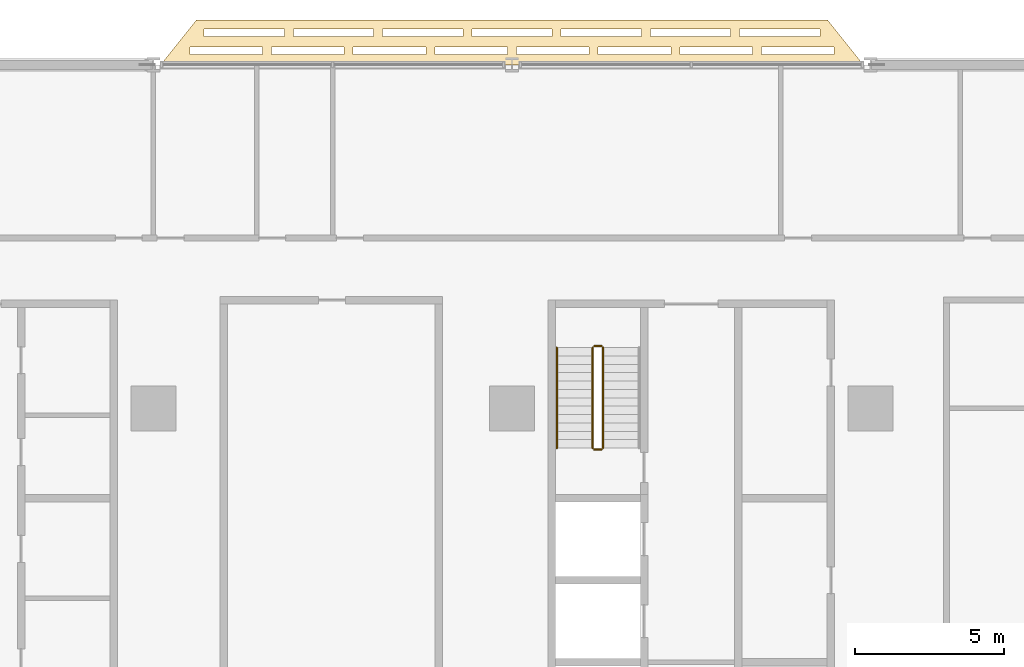
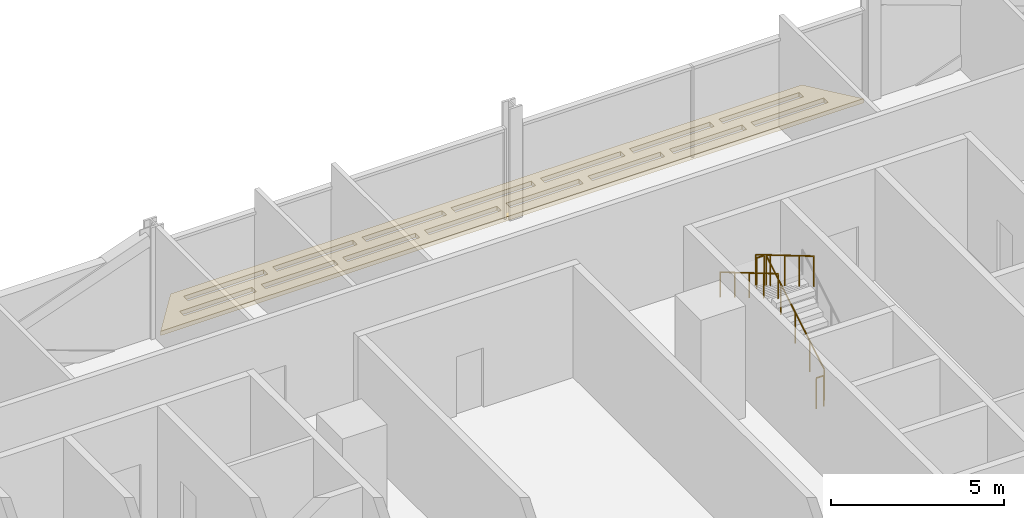
# One storey, part 27 of 29: 5 railings, 1 covering.
"""IFC4 building model written with IfcOpenShell, lengths in metres."""

from ifc_helpers import new_model, si_unit, direction, frame, origin, origin_2d, place, context, subcontext, project, spatial, polyline, circle, outline, extrude, material, layer, layer_set, type_object, element, save


model = new_model("IFC4")

# Units and contexts
model_context = context("Model", 3, precision=1e-05, world=origin(), true_north=direction((0.0, 1.0)))
body_context = subcontext(model_context, "Body", "Model", "MODEL_VIEW")
ifc_project = project(units=[si_unit("LENGTHUNIT", "METRE"), si_unit("AREAUNIT", "SQUARE_METRE"), si_unit("VOLUMEUNIT", "CUBIC_METRE"), si_unit("PLANEANGLEUNIT", "RADIAN"), si_unit("MASSUNIT", "GRAM", prefix="KILO")], contexts=[model_context])

# Site, building, storey
site_placement = place(None, origin())
site = spatial("IfcSite", under=ifc_project, at=site_placement, CompositionType="ELEMENT")
building_placement = place(site_placement, origin())
building = spatial("IfcBuilding", under=site, at=building_placement, Name="Mahtab Terrace Research Tower", CompositionType="ELEMENT")
storey_placement = place(building_placement, frame((0.0, 0.0, 67.5)))
storey = spatial("IfcBuildingStorey", under=building, at=storey_placement, Name="L15", CompositionType="ELEMENT", Elevation=67.5)

# Covering
ifc_material_1 = material(Name="Black anodised aluminium", Category="aluminium")
ifc_layer = layer(ifc_material_1, 0.14990234375)
ifc_layer_set = layer_set([ifc_layer], Name="Horizontal sunshade band")
covering_type = type_object("IfcCoveringType", Name="Horizontal sunshade band", PredefinedType="CLADDING", material=ifc_layer_set)
covering_placement = place(storey_placement, frame((0.0, 0.0, -0.14990234375)))
element("IfcCovering", 1, at=covering_placement, inside=storey, type_object=covering_type, Name="Sunshade band L15 5", PredefinedType="CLADDING", context=body_context, shape_type="SweptSolid", body=[
    extrude(outline(polyline([(29.761962890625, 23.0), (6.238037109375, 23.0), (7.43798828125, 24.5), (28.56201171875, 24.5), (29.761962890625, 23.0)]), holes=[polyline([(28.781982421875, 23.35009765625), (26.34912109375, 23.35009765625), (26.34912109375, 23.60009765625), (28.781982421875, 23.60009765625), (28.781982421875, 23.35009765625)]), polyline([(26.049072265625, 23.35009765625), (23.615966796875, 23.35009765625), (23.615966796875, 23.60009765625), (26.049072265625, 23.60009765625), (26.049072265625, 23.35009765625)]), polyline([(23.31591796875, 23.35009765625), (20.883056640625, 23.35009765625), (20.883056640625, 23.60009765625), (23.31591796875, 23.60009765625), (23.31591796875, 23.35009765625)]), polyline([(20.5830078125, 23.35009765625), (18.14990234375, 23.35009765625), (18.14990234375, 23.60009765625), (20.5830078125, 23.60009765625), (20.5830078125, 23.35009765625)]), polyline([(17.85009765625, 23.35009765625), (15.4169921875, 23.35009765625), (15.4169921875, 23.60009765625), (17.85009765625, 23.60009765625), (17.85009765625, 23.35009765625)]), polyline([(15.116943359375, 23.35009765625), (12.68408203125, 23.35009765625), (12.68408203125, 23.60009765625), (15.116943359375, 23.60009765625), (15.116943359375, 23.35009765625)]), polyline([(12.384033203125, 23.35009765625), (9.950927734375, 23.35009765625), (9.950927734375, 23.60009765625), (12.384033203125, 23.60009765625), (12.384033203125, 23.35009765625)]), polyline([(9.65087890625, 23.35009765625), (7.218017578125, 23.35009765625), (7.218017578125, 23.60009765625), (9.65087890625, 23.60009765625), (9.65087890625, 23.35009765625)]), polyline([(28.302001953125, 23.949951171875), (25.615966796875, 23.949951171875), (25.615966796875, 24.199951171875), (28.302001953125, 24.199951171875), (28.302001953125, 23.949951171875)]), polyline([(25.31591796875, 23.949951171875), (22.62890625, 23.949951171875), (22.62890625, 24.199951171875), (25.31591796875, 24.199951171875), (25.31591796875, 23.949951171875)]), polyline([(22.3291015625, 23.949951171875), (19.64306640625, 23.949951171875), (19.64306640625, 24.199951171875), (22.3291015625, 24.199951171875), (22.3291015625, 23.949951171875)]), polyline([(19.343017578125, 23.949951171875), (16.656982421875, 23.949951171875), (16.656982421875, 24.199951171875), (19.343017578125, 24.199951171875), (19.343017578125, 23.949951171875)]), polyline([(16.35693359375, 23.949951171875), (13.6708984375, 23.949951171875), (13.6708984375, 24.199951171875), (16.35693359375, 24.199951171875), (16.35693359375, 23.949951171875)]), polyline([(13.37109375, 23.949951171875), (10.68408203125, 23.949951171875), (10.68408203125, 24.199951171875), (13.37109375, 24.199951171875), (13.37109375, 23.949951171875)]), polyline([(10.384033203125, 23.949951171875), (7.697998046875, 23.949951171875), (7.697998046875, 24.199951171875), (10.384033203125, 24.199951171875), (10.384033203125, 23.949951171875)])]), origin(), (0.0, 0.0, 1.0), 0.14990234375),
])

# Railings
ifc_material_2 = material(Name="Stainless steel AISI 304", Category="steel")
railing_type_1 = type_object("IfcRailingType", Name="Stair guard 1100", PredefinedType="GUARDRAIL", material=ifc_material_2)
railing_1_placement = place(storey_placement, frame((21.050048828125, 10.175048828125, 0.165283203125)))
element("IfcRailing", 2, at=railing_1_placement, inside=storey, type_object=railing_type_1, Name="L15 ST3 stair guard 1", PredefinedType="GUARDRAIL", context=body_context, shape_type="SweptSolid", body=[
    extrude(circle(Radius=0.02392578125, at=origin_2d()), frame((0.0, 0.0, 1.076171875), z_axis=(0.0, 0.861011212953, 0.508585972249), x_axis=(-1.0, 0.0, 0.0)), (0.0, 0.0, 1.0), 3.90234375),
    extrude(circle(Radius=0.02099609375, at=origin_2d()), origin(), (0.0, 0.0, 1.0), 1.052001953125),
    extrude(circle(Radius=0.02099609375, at=origin_2d()), frame((0.0, 0.83984375, 0.49609375)), (0.0, 0.0, 1.0), 1.052001953125),
    extrude(circle(Radius=0.02099609375, at=origin_2d()), frame((0.0, 1.679931640625, 0.9921875)), (0.0, 0.0, 1.0), 1.052001953125),
    extrude(circle(Radius=0.02099609375, at=origin_2d()), frame((0.0, 2.52001953125, 1.488525390625)), (0.0, 0.0, 1.0), 1.052001953125),
    extrude(circle(Radius=0.02099609375, at=origin_2d()), frame((0.0, 3.35986328125, 1.984619140625)), (0.0, 0.0, 1.0), 1.052001953125),
])
railing_2_placement = place(storey_placement, frame((21.0, 13.5849609375, 2.14990234375)))
element("IfcRailing", 3, at=railing_2_placement, inside=storey, type_object=railing_type_1, Name="L15 ST3 stair guard 2", PredefinedType="GUARDRAIL", context=body_context, shape_type="SweptSolid", body=[
    extrude(circle(Radius=0.02392578125, at=origin_2d()), frame((0.0, 0.0, 1.076171875), z_axis=(-1.0, 0.0, 0.0), x_axis=(0.0, -1.0, 0.0)), (0.0, 0.0, 1.0), 0.25),
    extrude(circle(Radius=0.02099609375, at=origin_2d()), origin(), (0.0, 0.0, 1.0), 1.052001953125),
    extrude(circle(Radius=0.02099609375, at=origin_2d()), frame((-0.25, 0.0, 0.0)), (0.0, 0.0, 1.0), 1.052001953125),
])
railing_3_placement = place(storey_placement, frame((20.699951171875, 13.534912109375, 2.3154296875)))
element("IfcRailing", 4, at=railing_3_placement, inside=storey, type_object=railing_type_1, Name="L15 ST3 stair guard 3", PredefinedType="GUARDRAIL", context=body_context, shape_type="SweptSolid", body=[
    extrude(circle(Radius=0.02392578125, at=origin_2d()), frame((0.0, 0.0, 1.076171875), z_axis=(0.0, -0.861011212953, 0.508585972249), x_axis=(1.0, 0.0, 0.0)), (0.0, 0.0, 1.0), 3.90234375),
    extrude(circle(Radius=0.02099609375, at=origin_2d()), origin(), (0.0, 0.0, 1.0), 1.052001953125),
    extrude(circle(Radius=0.02099609375, at=origin_2d()), frame((0.0, -0.83984375, 0.49609375)), (0.0, 0.0, 1.0), 1.052001953125),
    extrude(circle(Radius=0.02099609375, at=origin_2d()), frame((0.0, -1.679931640625, 0.9921875)), (0.0, 0.0, 1.0), 1.052001953125),
    extrude(circle(Radius=0.02099609375, at=origin_2d()), frame((0.0, -2.52001953125, 1.488525390625)), (0.0, 0.0, 1.0), 1.052001953125),
    extrude(circle(Radius=0.02099609375, at=origin_2d()), frame((0.0, -3.35986328125, 1.984619140625)), (0.0, 0.0, 1.0), 1.052001953125),
])
railing_4_placement = place(storey_placement, frame((21.0, 10.125, 0.0)))
element("IfcRailing", 5, at=railing_4_placement, inside=storey, type_object=railing_type_1, Name="L15 ST3 stair guard 4", PredefinedType="GUARDRAIL", context=body_context, shape_type="SweptSolid", body=[
    extrude(circle(Radius=0.02392578125, at=origin_2d()), frame((0.0, 0.0, 1.076171875), z_axis=(-1.0, 0.0, 0.0), x_axis=(0.0, -1.0, 0.0)), (0.0, 0.0, 1.0), 0.25),
    extrude(circle(Radius=0.02099609375, at=origin_2d()), origin(), (0.0, 0.0, 1.0), 1.052001953125),
    extrude(circle(Radius=0.02099609375, at=origin_2d()), frame((-0.25, 0.0, 0.0)), (0.0, 0.0, 1.0), 1.052001953125),
])
railing_type_2 = type_object("IfcRailingType", Name="Stair handrail 900", PredefinedType="HANDRAIL", material=ifc_material_2)
railing_5_placement = place(storey_placement, frame((19.5, 13.534912109375, 2.3154296875)))
element("IfcRailing", 6, at=railing_5_placement, inside=storey, type_object=railing_type_2, Name="L15 ST3 stair handrail 2", PredefinedType="HANDRAIL", context=body_context, shape_type="SweptSolid", body=[
    extrude(circle(Radius=0.02392578125, at=origin_2d()), frame((0.0, 0.0, 0.8759765625), z_axis=(0.0, -0.861011212953, 0.508585972249), x_axis=(1.0, 0.0, 0.0)), (0.0, 0.0, 1.0), 3.90234375),
    extrude(circle(Radius=0.02099609375, at=origin_2d()), origin(), (0.0, 0.0, 1.0), 0.851806640625),
    extrude(circle(Radius=0.02099609375, at=origin_2d()), frame((0.0, -0.83984375, 0.49609375)), (0.0, 0.0, 1.0), 0.851806640625),
    extrude(circle(Radius=0.02099609375, at=origin_2d()), frame((0.0, -1.679931640625, 0.9921875)), (0.0, 0.0, 1.0), 0.851806640625),
    extrude(circle(Radius=0.02099609375, at=origin_2d()), frame((0.0, -2.52001953125, 1.488525390625)), (0.0, 0.0, 1.0), 0.851806640625),
    extrude(circle(Radius=0.02099609375, at=origin_2d()), frame((0.0, -3.35986328125, 1.984619140625)), (0.0, 0.0, 1.0), 0.851806640625),
])

save(model, "model.ifc")
